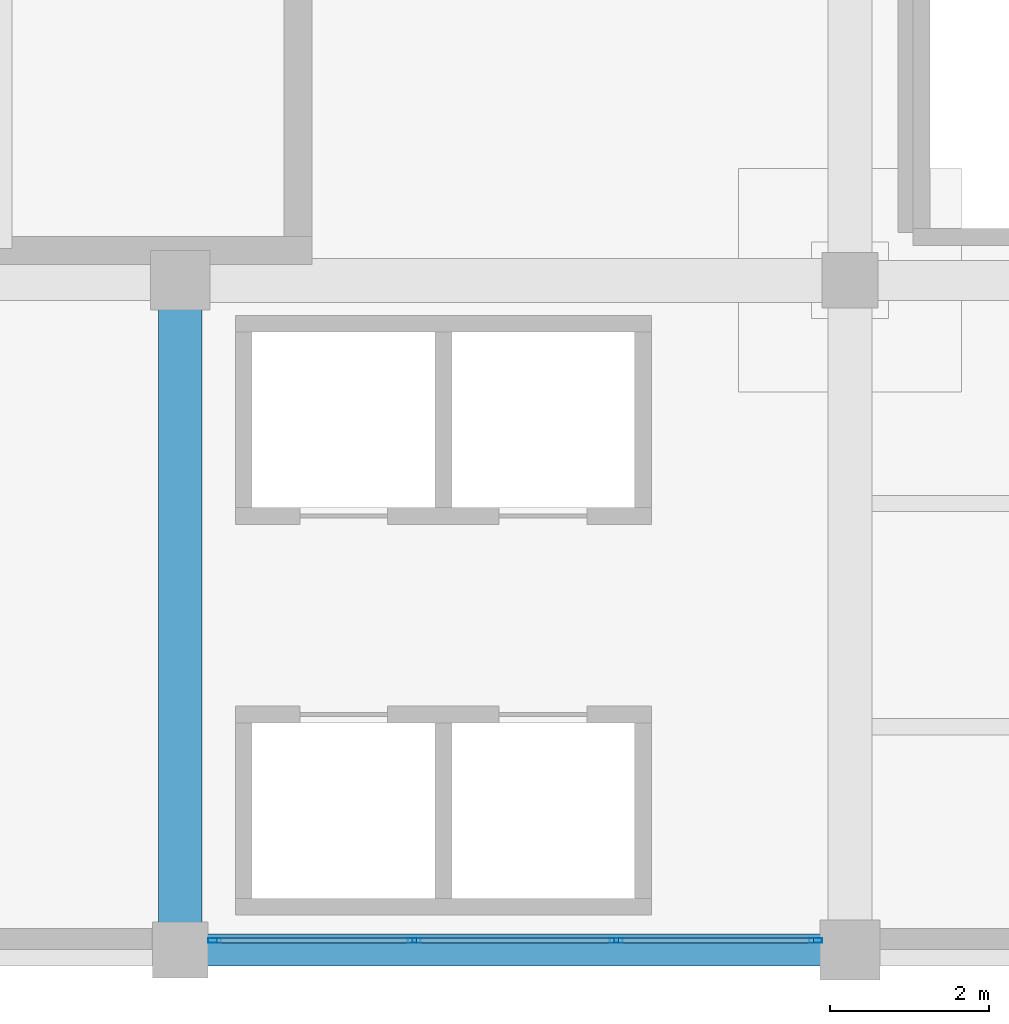
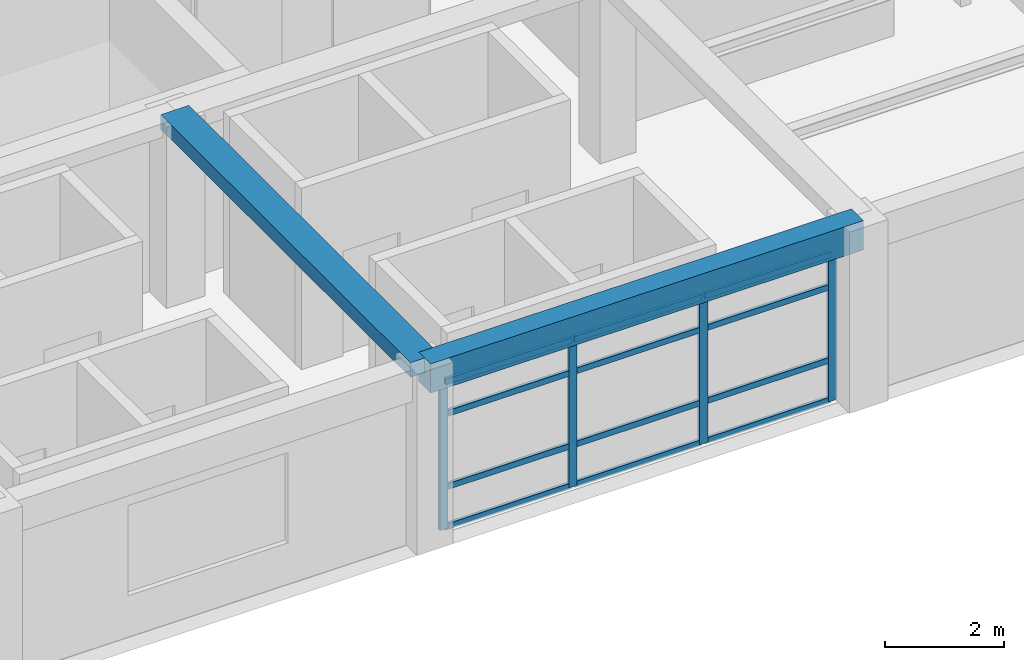
# One storey, part 4 of 26: 16 members, 2 beams, 1 element without a shape of its own.
"""IFC4 building model written with IfcOpenShell, lengths in metres."""

from ifc_helpers import new_model, si_unit, direction, frame, origin, origin_2d, place, context, subcontext, project, spatial, rectangle, hollow_rectangle, extrude, material, material_profile, profile_set, type_object, element, aggregate, save


model = new_model("IFC4")

# Units and contexts
model_context = context("Model", 3, precision=1e-05, world=origin(), true_north=direction((0.0, 1.0)))
body_context = subcontext(model_context, "Body", "Model", "MODEL_VIEW")
ifc_project = project(units=[si_unit("LENGTHUNIT", "METRE"), si_unit("AREAUNIT", "SQUARE_METRE"), si_unit("VOLUMEUNIT", "CUBIC_METRE"), si_unit("PLANEANGLEUNIT", "RADIAN"), si_unit("MASSUNIT", "GRAM", prefix="KILO")], contexts=[model_context])

# Site, building, storey
site_placement = place(None, origin())
site = spatial("IfcSite", under=ifc_project, at=site_placement, CompositionType="ELEMENT")
building_placement = place(site_placement, origin())
building = spatial("IfcBuilding", under=site, at=building_placement, Name="Almacenes y Pasaje Nevantli", CompositionType="ELEMENT")
storey_placement = place(building_placement, frame((0.0, 0.0, 38.699951171875)))
storey = spatial("IfcBuildingStorey", under=building, at=storey_placement, Name="L09", CompositionType="ELEMENT", Elevation=38.699951171875)

# Beams
ifc_material_1 = material(Name="Concrete C35/45", Category="concrete")
ifc_material_profile_1 = material_profile(ifc_material_1, rectangle(XDim=0.39990234375, YDim=0.60009765625, at=origin_2d()), Name="RC-BM-400x600")
ifc_profile_set_1 = profile_set([ifc_material_profile_1], Name="Concrete C35/45")
beam_type_1 = type_object("IfcBeamType", Name="BM-RC-400x600", PredefinedType="SPANDREL", material=ifc_profile_set_1)
beam_1_placement = place(storey_placement, frame((126.0, 67.199951171875, 3.420166015625), z_axis=(1.0, 0.0, 0.0), x_axis=(0.0, 1.0, 0.0)))
element("IfcBeam", 1, at=beam_1_placement, inside=storey, type_object=beam_type_1, Name="L09 East-West Reinforced Concrete Beam #3743", PredefinedType="SPANDREL", context=body_context, shape_type="SweptSolid", body=[
    extrude(rectangle(XDim=0.39990234375, YDim=0.60009765625, at=origin_2d()), origin(), (0.0, 0.0, 1.0), 8.39990234375),
])
ifc_material_2 = material(Name="Concrete C35/45", Category="concrete")
ifc_material_profile_2 = material_profile(ifc_material_2, rectangle(XDim=0.550048828125, YDim=0.300048828125, at=origin_2d()), Name="RC-BM-550x300")
ifc_profile_set_2 = profile_set([ifc_material_profile_2], Name="Concrete C35/45")
beam_type_2 = type_object("IfcBeamType", Name="BM-RC-550x300", PredefinedType="BEAM", material=ifc_profile_set_2)
beam_2_placement = place(storey_placement, frame((126.0, 67.199951171875, 3.570068359375), z_axis=(0.0, 1.0, 0.0), x_axis=(-1.0, 0.0, 0.0)))
element("IfcBeam", 2, at=beam_2_placement, inside=storey, type_object=beam_type_2, Name="L09 North-South Reinforced Concrete Beam #3779", PredefinedType="BEAM", context=body_context, shape_type="SweptSolid", body=[
    extrude(rectangle(XDim=0.550048828125, YDim=0.300048828125, at=origin_2d()), origin(), (0.0, 0.0, 1.0), 8.400146484375),
])

# Curtain wall, members
ifc_material_3 = material(Name="Thermally Broken Aluminium and Low-E Glass", Category="aluminium")
curtain_wall_type = type_object("IfcCurtainWallType", Name="CW-UNIT-TOWER", PredefinedType="USERDEFINED", material=ifc_material_3)
curtain_wall_placement = place(storey_placement, origin())
curtain_wall = element("IfcCurtainWall", 3, at=curtain_wall_placement, inside=storey, type_object=curtain_wall_type, Name="L09 Tower South Unitized Curtain Wall Bay 16", ObjectType="UNITIZED CURTAIN WALL", PredefinedType="USERDEFINED")
ifc_material_4 = material(Name="Thermally Broken Anodized Aluminium", Category="aluminium")
ifc_material_profile_3 = material_profile(ifc_material_4, hollow_rectangle(XDim=0.06005859375, YDim=0.159912109375, WallThickness=0.00390625, at=origin_2d()), Name="ALU-MUL-60x160")
ifc_profile_set_3 = profile_set([ifc_material_profile_3], Name="Thermally Broken Anodized Aluminium")
member_type_1 = type_object("IfcMemberType", Name="CW-MUL-180", PredefinedType="MULLION", material=ifc_profile_set_3)
member_1_placement = place(storey_placement, frame((126.429931640625, 67.320068359375, 0.0), z_axis=(0.0, 0.0, 1.0), x_axis=(0.0, 1.0, 0.0)))
member_1 = element("IfcMember", 4, at=member_1_placement, type_object=member_type_1, Name="CW-L09-133 mullion 1", PredefinedType="MULLION", context=body_context, shape_type="SweptSolid", body=[
    extrude(hollow_rectangle(XDim=0.06005859375, YDim=0.159912109375, WallThickness=0.00390625, at=origin_2d()), origin(), (0.0, 0.0, 1.0), 3.0400390625),
])
member_2_placement = place(storey_placement, frame((128.933349609375, 67.320068359375, 0.0), z_axis=(0.0, 0.0, 1.0), x_axis=(0.0, 1.0, 0.0)))
member_2 = element("IfcMember", 5, at=member_2_placement, type_object=member_type_1, Name="CW-L09-133 mullion 2", PredefinedType="MULLION", context=body_context, shape_type="SweptSolid", body=[
    extrude(hollow_rectangle(XDim=0.06005859375, YDim=0.159912109375, WallThickness=0.00390625, at=origin_2d()), origin(), (0.0, 0.0, 1.0), 3.0400390625),
])
member_3_placement = place(storey_placement, frame((131.466552734375, 67.320068359375, 0.0), z_axis=(0.0, 0.0, 1.0), x_axis=(0.0, 1.0, 0.0)))
member_3 = element("IfcMember", 6, at=member_3_placement, type_object=member_type_1, Name="CW-L09-133 mullion 3", PredefinedType="MULLION", context=body_context, shape_type="SweptSolid", body=[
    extrude(hollow_rectangle(XDim=0.06005859375, YDim=0.159912109375, WallThickness=0.00390625, at=origin_2d()), origin(), (0.0, 0.0, 1.0), 3.0400390625),
])
member_4_placement = place(storey_placement, frame((133.969970703125, 67.320068359375, 0.0), z_axis=(0.0, 0.0, 1.0), x_axis=(0.0, 1.0, 0.0)))
member_4 = element("IfcMember", 7, at=member_4_placement, type_object=member_type_1, Name="CW-L09-133 mullion 4", PredefinedType="MULLION", context=body_context, shape_type="SweptSolid", body=[
    extrude(hollow_rectangle(XDim=0.06005859375, YDim=0.159912109375, WallThickness=0.00390625, at=origin_2d()), origin(), (0.0, 0.0, 1.0), 3.0400390625),
])
ifc_material_5 = material(Name="Thermally Broken Anodized Aluminium", Category="aluminium")
ifc_material_profile_4 = material_profile(ifc_material_5, hollow_rectangle(XDim=0.06005859375, YDim=0.1201171875, WallThickness=0.00341796875, at=origin_2d()), Name="ALU-TRN-60x120")
ifc_profile_set_4 = profile_set([ifc_material_profile_4], Name="Thermally Broken Anodized Aluminium")
member_type_2 = type_object("IfcMemberType", Name="CW-TRN-130", PredefinedType="USERDEFINED", material=ifc_profile_set_4)
member_5_placement = place(storey_placement, frame((126.4599609375, 67.320068359375, 0.030029296875), z_axis=(1.0, 0.0, 0.0), x_axis=(0.0, 1.0, 0.0)))
member_5 = element("IfcMember", 8, at=member_5_placement, type_object=member_type_2, Name="CW-L09-133 transom 1.1", ObjectType="TRANSOM", PredefinedType="USERDEFINED", context=body_context, shape_type="SweptSolid", body=[
    extrude(hollow_rectangle(XDim=0.06005859375, YDim=0.1201171875, WallThickness=0.00341796875, at=origin_2d()), origin(), (0.0, 0.0, 1.0), 2.443359375),
])
member_6_placement = place(storey_placement, frame((126.4599609375, 67.320068359375, 0.85009765625), z_axis=(1.0, 0.0, 0.0), x_axis=(0.0, 1.0, 0.0)))
member_6 = element("IfcMember", 9, at=member_6_placement, type_object=member_type_2, Name="CW-L09-133 transom 1.2", ObjectType="TRANSOM", PredefinedType="USERDEFINED", context=body_context, shape_type="SweptSolid", body=[
    extrude(hollow_rectangle(XDim=0.06005859375, YDim=0.1201171875, WallThickness=0.00341796875, at=origin_2d()), origin(), (0.0, 0.0, 1.0), 2.443359375),
])
member_7_placement = place(storey_placement, frame((126.4599609375, 67.320068359375, 2.35009765625), z_axis=(1.0, 0.0, 0.0), x_axis=(0.0, 1.0, 0.0)))
member_7 = element("IfcMember", 10, at=member_7_placement, type_object=member_type_2, Name="CW-L09-133 transom 1.3", ObjectType="TRANSOM", PredefinedType="USERDEFINED", context=body_context, shape_type="SweptSolid", body=[
    extrude(hollow_rectangle(XDim=0.06005859375, YDim=0.1201171875, WallThickness=0.00341796875, at=origin_2d()), origin(), (0.0, 0.0, 1.0), 2.443359375),
])
member_8_placement = place(storey_placement, frame((126.4599609375, 67.320068359375, 3.010009765625), z_axis=(1.0, 0.0, 0.0), x_axis=(0.0, 1.0, 0.0)))
member_8 = element("IfcMember", 11, at=member_8_placement, type_object=member_type_2, Name="CW-L09-133 transom 1.4", ObjectType="TRANSOM", PredefinedType="USERDEFINED", context=body_context, shape_type="SweptSolid", body=[
    extrude(hollow_rectangle(XDim=0.06005859375, YDim=0.1201171875, WallThickness=0.00341796875, at=origin_2d()), origin(), (0.0, 0.0, 1.0), 2.443359375),
])
member_9_placement = place(storey_placement, frame((128.96337890625, 67.320068359375, 0.030029296875), z_axis=(1.0, 0.0, 0.0), x_axis=(0.0, 1.0, 0.0)))
member_9 = element("IfcMember", 12, at=member_9_placement, type_object=member_type_2, Name="CW-L09-133 transom 2.1", ObjectType="TRANSOM", PredefinedType="USERDEFINED", context=body_context, shape_type="SweptSolid", body=[
    extrude(hollow_rectangle(XDim=0.06005859375, YDim=0.1201171875, WallThickness=0.00341796875, at=origin_2d()), origin(), (0.0, 0.0, 1.0), 2.473388671875),
])
member_10_placement = place(storey_placement, frame((128.96337890625, 67.320068359375, 0.85009765625), z_axis=(1.0, 0.0, 0.0), x_axis=(0.0, 1.0, 0.0)))
member_10 = element("IfcMember", 13, at=member_10_placement, type_object=member_type_2, Name="CW-L09-133 transom 2.2", ObjectType="TRANSOM", PredefinedType="USERDEFINED", context=body_context, shape_type="SweptSolid", body=[
    extrude(hollow_rectangle(XDim=0.06005859375, YDim=0.1201171875, WallThickness=0.00341796875, at=origin_2d()), origin(), (0.0, 0.0, 1.0), 2.473388671875),
])
member_11_placement = place(storey_placement, frame((128.96337890625, 67.320068359375, 2.35009765625), z_axis=(1.0, 0.0, 0.0), x_axis=(0.0, 1.0, 0.0)))
member_11 = element("IfcMember", 14, at=member_11_placement, type_object=member_type_2, Name="CW-L09-133 transom 2.3", ObjectType="TRANSOM", PredefinedType="USERDEFINED", context=body_context, shape_type="SweptSolid", body=[
    extrude(hollow_rectangle(XDim=0.06005859375, YDim=0.1201171875, WallThickness=0.00341796875, at=origin_2d()), origin(), (0.0, 0.0, 1.0), 2.473388671875),
])
member_12_placement = place(storey_placement, frame((128.96337890625, 67.320068359375, 3.010009765625), z_axis=(1.0, 0.0, 0.0), x_axis=(0.0, 1.0, 0.0)))
member_12 = element("IfcMember", 15, at=member_12_placement, type_object=member_type_2, Name="CW-L09-133 transom 2.4", ObjectType="TRANSOM", PredefinedType="USERDEFINED", context=body_context, shape_type="SweptSolid", body=[
    extrude(hollow_rectangle(XDim=0.06005859375, YDim=0.1201171875, WallThickness=0.00341796875, at=origin_2d()), origin(), (0.0, 0.0, 1.0), 2.473388671875),
])
member_13_placement = place(storey_placement, frame((131.49658203125, 67.320068359375, 0.030029296875), z_axis=(1.0, 0.0, 0.0), x_axis=(0.0, 1.0, 0.0)))
member_13 = element("IfcMember", 16, at=member_13_placement, type_object=member_type_2, Name="CW-L09-133 transom 3.1", ObjectType="TRANSOM", PredefinedType="USERDEFINED", context=body_context, shape_type="SweptSolid", body=[
    extrude(hollow_rectangle(XDim=0.06005859375, YDim=0.1201171875, WallThickness=0.00341796875, at=origin_2d()), origin(), (0.0, 0.0, 1.0), 2.443359375),
])
member_14_placement = place(storey_placement, frame((131.49658203125, 67.320068359375, 0.85009765625), z_axis=(1.0, 0.0, 0.0), x_axis=(0.0, 1.0, 0.0)))
member_14 = element("IfcMember", 17, at=member_14_placement, type_object=member_type_2, Name="CW-L09-133 transom 3.2", ObjectType="TRANSOM", PredefinedType="USERDEFINED", context=body_context, shape_type="SweptSolid", body=[
    extrude(hollow_rectangle(XDim=0.06005859375, YDim=0.1201171875, WallThickness=0.00341796875, at=origin_2d()), origin(), (0.0, 0.0, 1.0), 2.443359375),
])
member_15_placement = place(storey_placement, frame((131.49658203125, 67.320068359375, 2.35009765625), z_axis=(1.0, 0.0, 0.0), x_axis=(0.0, 1.0, 0.0)))
member_15 = element("IfcMember", 18, at=member_15_placement, type_object=member_type_2, Name="CW-L09-133 transom 3.3", ObjectType="TRANSOM", PredefinedType="USERDEFINED", context=body_context, shape_type="SweptSolid", body=[
    extrude(hollow_rectangle(XDim=0.06005859375, YDim=0.1201171875, WallThickness=0.00341796875, at=origin_2d()), origin(), (0.0, 0.0, 1.0), 2.443359375),
])
member_16_placement = place(storey_placement, frame((131.49658203125, 67.320068359375, 3.010009765625), z_axis=(1.0, 0.0, 0.0), x_axis=(0.0, 1.0, 0.0)))
member_16 = element("IfcMember", 19, at=member_16_placement, type_object=member_type_2, Name="CW-L09-133 transom 3.4", ObjectType="TRANSOM", PredefinedType="USERDEFINED", context=body_context, shape_type="SweptSolid", body=[
    extrude(hollow_rectangle(XDim=0.06005859375, YDim=0.1201171875, WallThickness=0.00341796875, at=origin_2d()), origin(), (0.0, 0.0, 1.0), 2.443359375),
])
aggregate(curtain_wall, [member_1, member_2, member_3, member_4, member_5, member_6, member_7, member_8, member_9, member_10, member_11, member_12, member_13, member_14, member_15, member_16])

save(model, "model.ifc")
